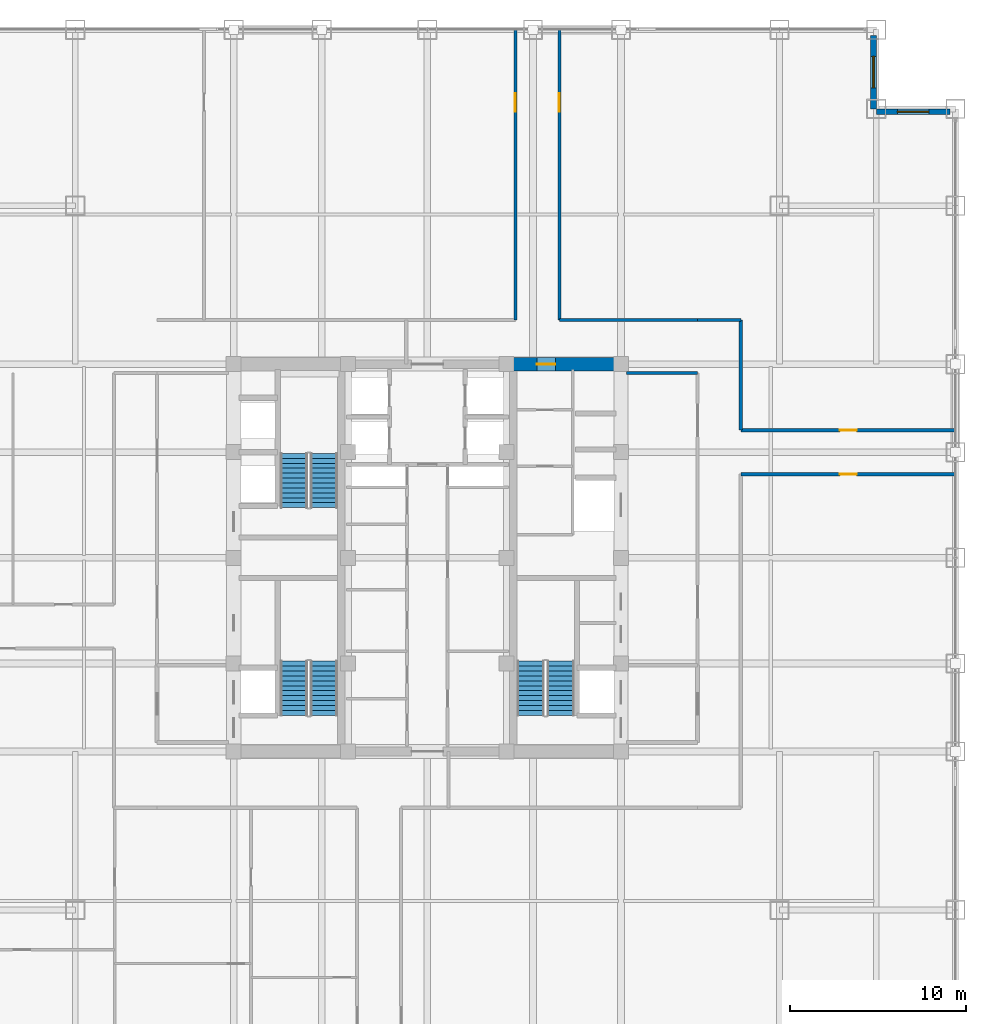
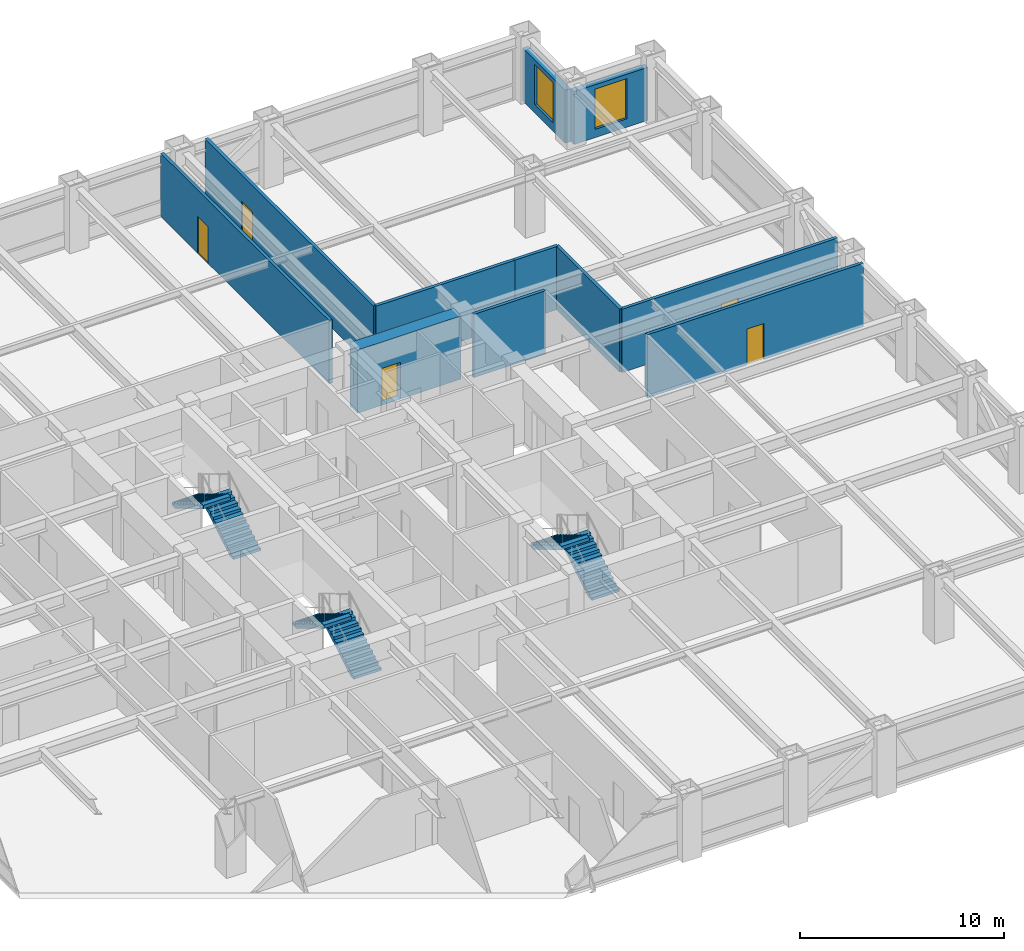
# One storey, part 23 of 24: 11 walls, 6 stair flights, 5 doors, 2 windows, 7 openings, 3 elements without a shape of their own.
"""IFC4 building model written with IfcOpenShell, lengths in metres."""

from ifc_helpers import new_model, si_unit, direction, frame, frame_2d, origin, place, context, subcontext, project, spatial, polyline, rectangle, outline, extrude, source, transform, mapped, material, layer, layer_set, type_object, element, fill, aggregate, save


model = new_model("IFC4")

# Units and contexts
model_context = context("Model", 3, precision=1e-05, world=origin(), true_north=direction((0.0, 1.0)))
body_context = subcontext(model_context, "Body", "Model", "MODEL_VIEW")
ifc_project = project(units=[si_unit("LENGTHUNIT", "METRE"), si_unit("AREAUNIT", "SQUARE_METRE"), si_unit("VOLUMEUNIT", "CUBIC_METRE"), si_unit("PLANEANGLEUNIT", "RADIAN"), si_unit("MASSUNIT", "GRAM", prefix="KILO")], contexts=[model_context])

# Site, building, storey
site_placement = place(None, origin())
site = spatial("IfcSite", under=ifc_project, at=site_placement, CompositionType="ELEMENT")
building_placement = place(site_placement, origin())
building = spatial("IfcBuilding", under=site, at=building_placement, Name="Khorayat Bourse Tower", CompositionType="ELEMENT")
storey_placement = place(building_placement, frame((0.0, 0.0, 175.10009765625)))
storey = spatial("IfcBuildingStorey", under=building, at=storey_placement, Name="L40", CompositionType="ELEMENT", Elevation=175.10009765625)

# Wall, opening, door
ifc_material_1 = material(Name="Concrete C72/90", Category="concrete")
ifc_layer_1 = layer(ifc_material_1, 0.75)
ifc_layer_set_1 = layer_set([ifc_layer_1], Name="Concrete C72/90")
wall_type_1 = type_object("IfcWallType", Name="WAL-CORE-750", PredefinedType="SHEAR", material=ifc_layer_set_1)
shared_shape_1 = source(origin(), body_context, "Body", "SweptSolid", [
    extrude(rectangle(XDim=5.849853515625, YDim=0.75, at=frame_2d((2.9248046875, 0.0))), origin(), (0.0, 0.0, 1.0), 3.77978515625),
])
wall_1_placement = place(storey_placement, frame((4.85009765625, 11.0, 0.0), z_axis=(0.0, 0.0, 1.0), x_axis=(1.0, 0.0, 0.0)))
wall_1 = element("IfcWall", 1, at=wall_1_placement, inside=storey, type_object=wall_type_1, Name="L40 Core Shear Wall PIER-EN", PredefinedType="SHEAR", context=body_context, shape_type="MappedRepresentation", body=[
    mapped(shared_shape_1, transform((0.0, 0.0, 0.0), scale=1.0)),
])
shared_shape_2 = source(origin(), body_context, "Body", "SweptSolid", [
    extrude(rectangle(XDim=1.050048828125, YDim=2.199951171875, at=frame_2d((0.52490234375, 1.10009765625))), frame((0.0, 0.385009765625, 0.0), z_axis=(0.0, -1.0, 0.0), x_axis=(1.0, 0.0, 0.0)), (0.0, 0.0, 1.0), 0.77001953125),
])
opening_1_placement = place(wall_1_placement, frame((1.375, 0.0, 0.0)))
opening_1 = element("IfcOpeningElement", 2, at=opening_1_placement, cuts=wall_1, Name="Opening DI-04", PredefinedType="OPENING", context=body_context, shape_type="MappedRepresentation", body=[
    mapped(shared_shape_2, transform((0.0, 0.0, 0.0), scale=1.0)),
])
ifc_material_2 = material(Name="Fire-rated oak veneer suite entrance door")
door_type_1 = type_object("IfcDoorType", Name="DR-INT-SUITE-1050", OperationType="NOTDEFINED", PredefinedType="DOOR", material=ifc_material_2)
shared_shape_3 = source(origin(), body_context, "Body", "SweptSolid", [
    extrude(rectangle(XDim=1.050048828125, YDim=2.199951171875, at=frame_2d((0.52490234375, 1.10009765625))), frame((0.0, 0.02490234375, 0.0), z_axis=(0.0, -1.0, 0.0), x_axis=(1.0, 0.0, 0.0)), (0.0, 0.0, 1.0), 0.050048828125),
])
door_1_placement = place(opening_1_placement, origin())
door_1 = element("IfcDoor", 3, at=door_1_placement, inside=storey, type_object=door_type_1, Name="L40 Core Washroom Lobby Door", OperationType="SINGLE_SWING_LEFT", OverallHeight=2.199951171875, OverallWidth=1.050048828125, PredefinedType="DOOR", context=body_context, shape_type="MappedRepresentation", body=[
    mapped(shared_shape_3, transform((0.0, 0.0, 0.0), scale=1.0)),
])
fill(opening_1, door_1)

# Wall, opening, window
ifc_material_3 = material(Name="Precast concrete C45/55", Category="concrete")
ifc_layer_2 = layer(ifc_material_3, 0.320068359375)
ifc_layer_set_2 = layer_set([ifc_layer_2], Name="Precast concrete C45/55")
wall_type_2 = type_object("IfcWallType", Name="WAL-EXT-STONE-320", PredefinedType="STANDARD", material=ifc_layer_set_2)
shared_shape_4 = source(origin(), body_context, "Body", "SweptSolid", [
    extrude(rectangle(XDim=4.179931640625, YDim=0.320068359375, at=frame_2d((2.08984375, 0.0))), origin(), (0.0, 0.0, 1.0), 3.163818359375),
])
wall_2_placement = place(storey_placement, frame((25.5, 25.340087890625, 0.0), z_axis=(0.0, 0.0, 1.0), x_axis=(1.0, 0.0, 0.0)))
wall_2 = element("IfcWall", 4, at=wall_2_placement, inside=storey, type_object=wall_type_2, Name="L40 Re-Entrant Notch Limestone Wall NE-H", PredefinedType="STANDARD", context=body_context, shape_type="MappedRepresentation", body=[
    mapped(shared_shape_4, transform((0.0, 0.0, 0.0), scale=1.0)),
])
shared_shape_5 = source(origin(), body_context, "Body", "SweptSolid", [
    extrude(rectangle(XDim=1.800048828125, YDim=2.39990234375, at=frame_2d((0.89990234375, 1.199951171875))), frame((0.0, 0.169921875, 0.0), z_axis=(0.0, -1.0, 0.0), x_axis=(1.0, 0.0, 0.0)), (0.0, 0.0, 1.0), 0.340087890625),
])
opening_2_placement = place(wall_2_placement, frame((1.18994140625, 0.0, 0.5)))
opening_2 = element("IfcOpeningElement", 5, at=opening_2_placement, cuts=wall_2, Name="Opening WN-04", PredefinedType="OPENING", context=body_context, shape_type="MappedRepresentation", body=[
    mapped(shared_shape_5, transform((0.0, 0.0, 0.0), scale=1.0)),
])
ifc_material_4 = material(Name="Low-E acoustic laminated double glazing", Category="glass")
window_type = type_object("IfcWindowType", Name="WIN-NOTCH-1800x2400", PartitioningType="SINGLE_PANEL", PredefinedType="WINDOW", material=ifc_material_4)
shared_shape_6 = source(origin(), body_context, "Body", "SweptSolid", [
    extrude(rectangle(XDim=1.800048828125, YDim=2.39990234375, at=frame_2d((0.89990234375, 1.199951171875))), frame((0.0, 0.030029296875, 0.0), z_axis=(0.0, -1.0, 0.0), x_axis=(1.0, 0.0, 0.0)), (0.0, 0.0, 1.0), 0.06005859375),
])
window_1_placement = place(opening_2_placement, origin())
window_1 = element("IfcWindow", 6, at=window_1_placement, inside=storey, type_object=window_type, Name="L40 Facade Window 1", OverallHeight=2.39990234375, OverallWidth=1.800048828125, PartitioningType="SINGLE_PANEL", PredefinedType="WINDOW", context=body_context, shape_type="MappedRepresentation", body=[
    mapped(shared_shape_6, transform((0.0, 0.0, 0.0), scale=1.0)),
])
fill(opening_2, window_1)

wall_3_placement = place(storey_placement, frame((25.340087890625, 25.5, 0.0), z_axis=(0.0, 0.0, 1.0), x_axis=(0.0, 1.0, 0.0)))
wall_3 = element("IfcWall", 7, at=wall_3_placement, inside=storey, type_object=wall_type_2, Name="L40 Re-Entrant Notch Limestone Wall NE-V", PredefinedType="STANDARD", context=body_context, shape_type="MappedRepresentation", body=[
    mapped(shared_shape_4, transform((0.0, 0.0, 0.0), scale=1.0)),
])
opening_3_placement = place(wall_3_placement, frame((1.18994140625, 0.0, 0.5)))
opening_3 = element("IfcOpeningElement", 8, at=opening_3_placement, cuts=wall_3, Name="Opening WN-04", PredefinedType="OPENING", context=body_context, shape_type="MappedRepresentation", body=[
    mapped(shared_shape_5, transform((0.0, 0.0, 0.0), scale=1.0)),
])
window_2_placement = place(opening_3_placement, origin())
window_2 = element("IfcWindow", 9, at=window_2_placement, inside=storey, type_object=window_type, Name="L40 Facade Window 1", OverallHeight=2.39990234375, OverallWidth=1.800048828125, PartitioningType="SINGLE_PANEL", PredefinedType="WINDOW", context=body_context, shape_type="MappedRepresentation", body=[
    mapped(shared_shape_6, transform((0.0, 0.0, 0.0), scale=1.0)),
])
fill(opening_3, window_2)

# Walls
ifc_material_5 = material(Name="Gypsum plasterboard acoustic stud wall")
ifc_layer_3 = layer(ifc_material_5, 0.179931640625)
ifc_layer_set_3 = layer_set([ifc_layer_3], Name="Gypsum plasterboard acoustic stud wall")
wall_type_3 = type_object("IfcWallType", Name="WAL-PART-CORR-180", PredefinedType="PARTITIONING", material=ifc_layer_set_3)
shared_shape_7 = source(origin(), body_context, "Body", "SweptSolid", [
    extrude(rectangle(XDim=4.050048828125, YDim=0.179931640625, at=frame_2d((2.02490234375, 0.0))), origin(), (0.0, 0.0, 1.0), 3.77978515625),
])
wall_4_placement = place(storey_placement, frame((11.300048828125, 10.5, 0.0), z_axis=(0.0, 0.0, 1.0), x_axis=(1.0, 0.0, 0.0)))
element("IfcWall", 10, at=wall_4_placement, inside=storey, type_object=wall_type_3, Name="L40 Partition WAL-L40-ELOB-N", PredefinedType="PARTITIONING", context=body_context, shape_type="MappedRepresentation", body=[
    mapped(shared_shape_7, transform((0.0, 0.0, 0.0), scale=1.0)),
])
shared_shape_8 = source(origin(), body_context, "Body", "SweptSolid", [
    extrude(rectangle(XDim=2.449951171875, YDim=0.179931640625, at=frame_2d((1.22509765625, 0.0))), origin(), (0.0, 0.0, 1.0), 3.77978515625),
])
wall_5_placement = place(storey_placement, frame((15.35009765625, 13.5, 0.0), z_axis=(0.0, 0.0, 1.0), x_axis=(1.0, 0.0, 0.0)))
element("IfcWall", 11, at=wall_5_placement, inside=storey, type_object=wall_type_3, Name="L40 Partition WAL-L40-C2-EN", PredefinedType="PARTITIONING", context=body_context, shape_type="MappedRepresentation", body=[
    mapped(shared_shape_8, transform((0.0, 0.0, 0.0), scale=1.0)),
])

# Wall, opening, door
shared_shape_9 = source(origin(), body_context, "Body", "SweptSolid", [
    extrude(rectangle(XDim=16.5, YDim=0.179931640625, at=frame_2d((8.25, 0.0))), origin(), (0.0, 0.0, 1.0), 3.77978515625),
])
wall_6_placement = place(storey_placement, frame((5.0, 13.5, 0.0), z_axis=(0.0, 0.0, 1.0), x_axis=(0.0, 1.0, 0.0)))
wall_6 = element("IfcWall", 12, at=wall_6_placement, inside=storey, type_object=wall_type_3, Name="L40 Partition WAL-L40-QNW-SPK", PredefinedType="PARTITIONING", context=body_context, shape_type="MappedRepresentation", body=[
    mapped(shared_shape_9, transform((0.0, 0.0, 0.0), scale=1.0)),
])
shared_shape_10 = source(origin(), body_context, "Body", "SweptSolid", [
    extrude(rectangle(XDim=1.050048828125, YDim=2.199951171875, at=frame_2d((0.52490234375, 1.10009765625))), frame((0.0, 0.099853515625, 0.0), z_axis=(0.0, -1.0, 0.0), x_axis=(1.0, 0.0, 0.0)), (0.0, 0.0, 1.0), 0.199951171875),
])
opening_4_placement = place(wall_6_placement, frame((11.85009765625, 0.0, 0.0)))
opening_4 = element("IfcOpeningElement", 13, at=opening_4_placement, cuts=wall_6, Name="Opening DI-04", PredefinedType="OPENING", context=body_context, shape_type="MappedRepresentation", body=[
    mapped(shared_shape_10, transform((0.0, 0.0, 0.0), scale=1.0)),
])
door_2_placement = place(opening_4_placement, origin())
door_2 = element("IfcDoor", 14, at=door_2_placement, inside=storey, type_object=door_type_1, Name="L40 North-West Radial Spoke Entry", OperationType="SINGLE_SWING_LEFT", OverallHeight=2.199951171875, OverallWidth=1.050048828125, PredefinedType="DOOR", context=body_context, shape_type="MappedRepresentation", body=[
    mapped(shared_shape_3, transform((0.0, 0.0, 0.0), scale=1.0)),
])
fill(opening_4, door_2)

wall_7_placement = place(storey_placement, frame((7.5, 13.5, 0.0), z_axis=(0.0, 0.0, 1.0), x_axis=(0.0, 1.0, 0.0)))
wall_7 = element("IfcWall", 15, at=wall_7_placement, inside=storey, type_object=wall_type_3, Name="L40 Partition WAL-L40-QNE-SPK", PredefinedType="PARTITIONING", context=body_context, shape_type="MappedRepresentation", body=[
    mapped(shared_shape_9, transform((0.0, 0.0, 0.0), scale=1.0)),
])
opening_5_placement = place(wall_7_placement, frame((11.85009765625, 0.0, 0.0)))
opening_5 = element("IfcOpeningElement", 16, at=opening_5_placement, cuts=wall_7, Name="Opening DI-04", PredefinedType="OPENING", context=body_context, shape_type="MappedRepresentation", body=[
    mapped(shared_shape_10, transform((0.0, 0.0, 0.0), scale=1.0)),
])
door_3_placement = place(opening_5_placement, origin())
door_3 = element("IfcDoor", 17, at=door_3_placement, inside=storey, type_object=door_type_1, Name="L40 North-East Radial Spoke Entry", OperationType="SINGLE_SWING_LEFT", OverallHeight=2.199951171875, OverallWidth=1.050048828125, PredefinedType="DOOR", context=body_context, shape_type="MappedRepresentation", body=[
    mapped(shared_shape_3, transform((0.0, 0.0, 0.0), scale=1.0)),
])
fill(opening_5, door_3)

shared_shape_11 = source(origin(), body_context, "Body", "SweptSolid", [
    extrude(rectangle(XDim=12.199951171875, YDim=0.179931640625, at=frame_2d((6.10009765625, 0.0))), origin(), (0.0, 0.0, 1.0), 3.77978515625),
])
wall_8_placement = place(storey_placement, frame((17.800048828125, 4.75, 0.0), z_axis=(0.0, 0.0, 1.0), x_axis=(1.0, 0.0, 0.0)))
wall_8 = element("IfcWall", 18, at=wall_8_placement, inside=storey, type_object=wall_type_3, Name="L40 Partition WAL-L40-ES-SPK", PredefinedType="PARTITIONING", context=body_context, shape_type="MappedRepresentation", body=[
    mapped(shared_shape_11, transform((0.0, 0.0, 0.0), scale=1.0)),
])
shared_shape_12 = source(origin(), body_context, "Body", "SweptSolid", [
    extrude(rectangle(XDim=0.949951171875, YDim=2.14990234375, at=frame_2d((0.47509765625, 1.074951171875))), frame((0.0, 0.099853515625, 0.0), z_axis=(0.0, -1.0, 0.0), x_axis=(1.0, 0.0, 0.0)), (0.0, 0.0, 1.0), 0.199951171875),
])
opening_6_placement = place(wall_8_placement, frame((5.625, 0.0, 0.0)))
opening_6 = element("IfcOpeningElement", 19, at=opening_6_placement, cuts=wall_8, Name="Opening DI-05", PredefinedType="OPENING", context=body_context, shape_type="MappedRepresentation", body=[
    mapped(shared_shape_12, transform((0.0, 0.0, 0.0), scale=1.0)),
])
ifc_material_6 = material(Name="Acoustic oak veneer office door")
door_type_2 = type_object("IfcDoorType", Name="DR-INT-OFFICE-950", OperationType="NOTDEFINED", PredefinedType="DOOR", material=ifc_material_6)
shared_shape_13 = source(origin(), body_context, "Body", "SweptSolid", [
    extrude(rectangle(XDim=0.949951171875, YDim=2.14990234375, at=frame_2d((0.47509765625, 1.074951171875))), frame((0.0, 0.02490234375, 0.0), z_axis=(0.0, -1.0, 0.0), x_axis=(1.0, 0.0, 0.0)), (0.0, 0.0, 1.0), 0.050048828125),
])
door_4_placement = place(opening_6_placement, origin())
door_4 = element("IfcDoor", 20, at=door_4_placement, inside=storey, type_object=door_type_2, Name="L40 Financial Training Classroom ES Door", OperationType="SINGLE_SWING_LEFT", OverallHeight=2.14990234375, OverallWidth=0.949951171875, PredefinedType="DOOR", context=body_context, shape_type="MappedRepresentation", body=[
    mapped(shared_shape_13, transform((0.0, 0.0, 0.0), scale=1.0)),
])
fill(opening_6, door_4)

wall_9_placement = place(storey_placement, frame((17.800048828125, 7.25, 0.0), z_axis=(0.0, 0.0, 1.0), x_axis=(1.0, 0.0, 0.0)))
wall_9 = element("IfcWall", 21, at=wall_9_placement, inside=storey, type_object=wall_type_3, Name="L40 Partition WAL-L40-EN-SPK", PredefinedType="PARTITIONING", context=body_context, shape_type="MappedRepresentation", body=[
    mapped(shared_shape_11, transform((0.0, 0.0, 0.0), scale=1.0)),
])
opening_7_placement = place(wall_9_placement, frame((5.625, 0.0, 0.0)))
opening_7 = element("IfcOpeningElement", 22, at=opening_7_placement, cuts=wall_9, Name="Opening DI-05", PredefinedType="OPENING", context=body_context, shape_type="MappedRepresentation", body=[
    mapped(shared_shape_12, transform((0.0, 0.0, 0.0), scale=1.0)),
])
door_5_placement = place(opening_7_placement, origin())
door_5 = element("IfcDoor", 23, at=door_5_placement, inside=storey, type_object=door_type_2, Name="L40 Brokerage Seminar Room EN Door", OperationType="SINGLE_SWING_LEFT", OverallHeight=2.14990234375, OverallWidth=0.949951171875, PredefinedType="DOOR", context=body_context, shape_type="MappedRepresentation", body=[
    mapped(shared_shape_13, transform((0.0, 0.0, 0.0), scale=1.0)),
])
fill(opening_7, door_5)

# Walls
shared_shape_14 = source(origin(), body_context, "Body", "SweptSolid", [
    extrude(rectangle(XDim=7.85009765625, YDim=0.179931640625, at=frame_2d((3.925048828125, 0.0))), origin(), (0.0, 0.0, 1.0), 3.77978515625),
])
wall_10_placement = place(storey_placement, frame((7.5, 13.5, 0.0), z_axis=(0.0, 0.0, 1.0), x_axis=(1.0, 0.0, 0.0)))
element("IfcWall", 24, at=wall_10_placement, inside=storey, type_object=wall_type_3, Name="L40 Partition WAL-L40-QNE-HC", PredefinedType="PARTITIONING", context=body_context, shape_type="MappedRepresentation", body=[
    mapped(shared_shape_14, transform((0.0, 0.0, 0.0), scale=1.0)),
])
shared_shape_15 = source(origin(), body_context, "Body", "SweptSolid", [
    extrude(rectangle(XDim=6.25, YDim=0.179931640625, at=frame_2d((3.125, 0.0))), origin(), (0.0, 0.0, 1.0), 3.77978515625),
])
wall_11_placement = place(storey_placement, frame((17.800048828125, 7.25, 0.0), z_axis=(0.0, 0.0, 1.0), x_axis=(0.0, 1.0, 0.0)))
element("IfcWall", 25, at=wall_11_placement, inside=storey, type_object=wall_type_3, Name="L40 Partition WAL-L40-EN-IN", PredefinedType="PARTITIONING", context=body_context, shape_type="MappedRepresentation", body=[
    mapped(shared_shape_15, transform((0.0, 0.0, 0.0), scale=1.0)),
])

# Stair, stair flights
ifc_material_7 = material(Name="Concrete C40/50", Category="concrete")
stair_type = type_object("IfcStairType", Name="STR-CORE-1550", PredefinedType="HALF_TURN_STAIR", material=ifc_material_7)
stair_1_placement = place(storey_placement, origin())
stair_1 = element("IfcStair", 26, at=stair_1_placement, inside=storey, type_object=stair_type, Name="L40 Exit Stair ST-1", PredefinedType="HALF_TURN_STAIR")
stair_flight_type = type_object("IfcStairFlightType", Name="FLT-CORE-1550", PredefinedType="STRAIGHT", material=ifc_material_7)
shared_shape_16 = source(origin(), body_context, "Body", "SweptSolid", [
    extrude(outline(polyline([(0.0, 0.0), (0.0, 0.166748046875), (0.280029296875, 0.166748046875), (0.280029296875, 0.333251953125), (0.56005859375, 0.333251953125), (0.56005859375, 0.5), (0.840087890625, 0.5), (0.840087890625, 0.666748046875), (1.1201171875, 0.666748046875), (1.1201171875, 0.833251953125), (1.39990234375, 0.833251953125), (1.39990234375, 1.0), (1.679931640625, 1.0), (1.679931640625, 1.166748046875), (1.9599609375, 1.166748046875), (1.9599609375, 1.333251953125), (2.239990234375, 1.333251953125), (2.239990234375, 1.5), (2.52001953125, 1.5), (2.52001953125, 1.666748046875), (2.800048828125, 1.666748046875), (2.800048828125, 1.833251953125), (3.080078125, 1.833251953125), (3.080078125, 2.0), (3.080078125, 1.6240234375), (0.351806640625, 0.0), (0.0, 0.0)])), frame((0.0, 0.77490234375, 0.0), z_axis=(0.0, -1.0, 0.0), x_axis=(1.0, 0.0, 0.0)), (0.0, 0.0, 1.0), 1.550048828125),
])
stair_flight_1_placement = place(storey_placement, frame((-5.875, -8.949951171875, 0.0), z_axis=(0.0, 0.0, 1.0), x_axis=(0.0, 1.0, 0.0)))
stair_flight_1 = element("IfcStairFlight", 27, at=stair_flight_1_placement, type_object=stair_flight_type, Name="ST-1 flight 1", NumberOfRisers=12, NumberOfTreads=11, PredefinedType="STRAIGHT", RiserHeight=0.166666667, TreadLength=0.28, context=body_context, shape_type="MappedRepresentation", body=[
    mapped(shared_shape_16, transform((0.0, 0.0, 0.0), scale=1.0)),
])
stair_flight_2_placement = place(storey_placement, frame((-7.574951171875, -5.8701171875, 2.0), z_axis=(0.0, 0.0, 1.0), x_axis=(0.0, -1.0, 0.0)))
stair_flight_2 = element("IfcStairFlight", 28, at=stair_flight_2_placement, type_object=stair_flight_type, Name="ST-1 flight 2", NumberOfRisers=12, NumberOfTreads=11, PredefinedType="STRAIGHT", RiserHeight=0.166666667, TreadLength=0.28, context=body_context, shape_type="MappedRepresentation", body=[
    mapped(shared_shape_16, transform((0.0, 0.0, 0.0), scale=1.0)),
])
aggregate(stair_1, [stair_flight_1, stair_flight_2])

stair_2_placement = place(storey_placement, origin())
stair_2 = element("IfcStair", 29, at=stair_2_placement, inside=storey, type_object=stair_type, Name="L40 Exit Stair ST-2", PredefinedType="HALF_TURN_STAIR")
stair_flight_3_placement = place(storey_placement, frame((-5.875, 2.85009765625, 0.0), z_axis=(0.0, 0.0, 1.0), x_axis=(0.0, 1.0, 0.0)))
stair_flight_3 = element("IfcStairFlight", 30, at=stair_flight_3_placement, type_object=stair_flight_type, Name="ST-2 flight 1", NumberOfRisers=12, NumberOfTreads=11, PredefinedType="STRAIGHT", RiserHeight=0.166666667, TreadLength=0.28, context=body_context, shape_type="MappedRepresentation", body=[
    mapped(shared_shape_16, transform((0.0, 0.0, 0.0), scale=1.0)),
])
stair_flight_4_placement = place(storey_placement, frame((-7.574951171875, 5.929931640625, 2.0), z_axis=(0.0, 0.0, 1.0), x_axis=(0.0, -1.0, 0.0)))
stair_flight_4 = element("IfcStairFlight", 31, at=stair_flight_4_placement, type_object=stair_flight_type, Name="ST-2 flight 2", NumberOfRisers=12, NumberOfTreads=11, PredefinedType="STRAIGHT", RiserHeight=0.166666667, TreadLength=0.28, context=body_context, shape_type="MappedRepresentation", body=[
    mapped(shared_shape_16, transform((0.0, 0.0, 0.0), scale=1.0)),
])
aggregate(stair_2, [stair_flight_3, stair_flight_4])

stair_3_placement = place(storey_placement, origin())
stair_3 = element("IfcStair", 32, at=stair_3_placement, inside=storey, type_object=stair_type, Name="L40 Exit Stair ST-3", PredefinedType="HALF_TURN_STAIR")
stair_flight_5_placement = place(storey_placement, frame((7.574951171875, -8.949951171875, 0.0), z_axis=(0.0, 0.0, 1.0), x_axis=(0.0, 1.0, 0.0)))
stair_flight_5 = element("IfcStairFlight", 33, at=stair_flight_5_placement, type_object=stair_flight_type, Name="ST-3 flight 1", NumberOfRisers=12, NumberOfTreads=11, PredefinedType="STRAIGHT", RiserHeight=0.166666667, TreadLength=0.28, context=body_context, shape_type="MappedRepresentation", body=[
    mapped(shared_shape_16, transform((0.0, 0.0, 0.0), scale=1.0)),
])
stair_flight_6_placement = place(storey_placement, frame((5.875, -5.8701171875, 2.0), z_axis=(0.0, 0.0, 1.0), x_axis=(0.0, -1.0, 0.0)))
stair_flight_6 = element("IfcStairFlight", 34, at=stair_flight_6_placement, type_object=stair_flight_type, Name="ST-3 flight 2", NumberOfRisers=12, NumberOfTreads=11, PredefinedType="STRAIGHT", RiserHeight=0.166666667, TreadLength=0.28, context=body_context, shape_type="MappedRepresentation", body=[
    mapped(shared_shape_16, transform((0.0, 0.0, 0.0), scale=1.0)),
])
aggregate(stair_3, [stair_flight_5, stair_flight_6])

save(model, "model.ifc")
